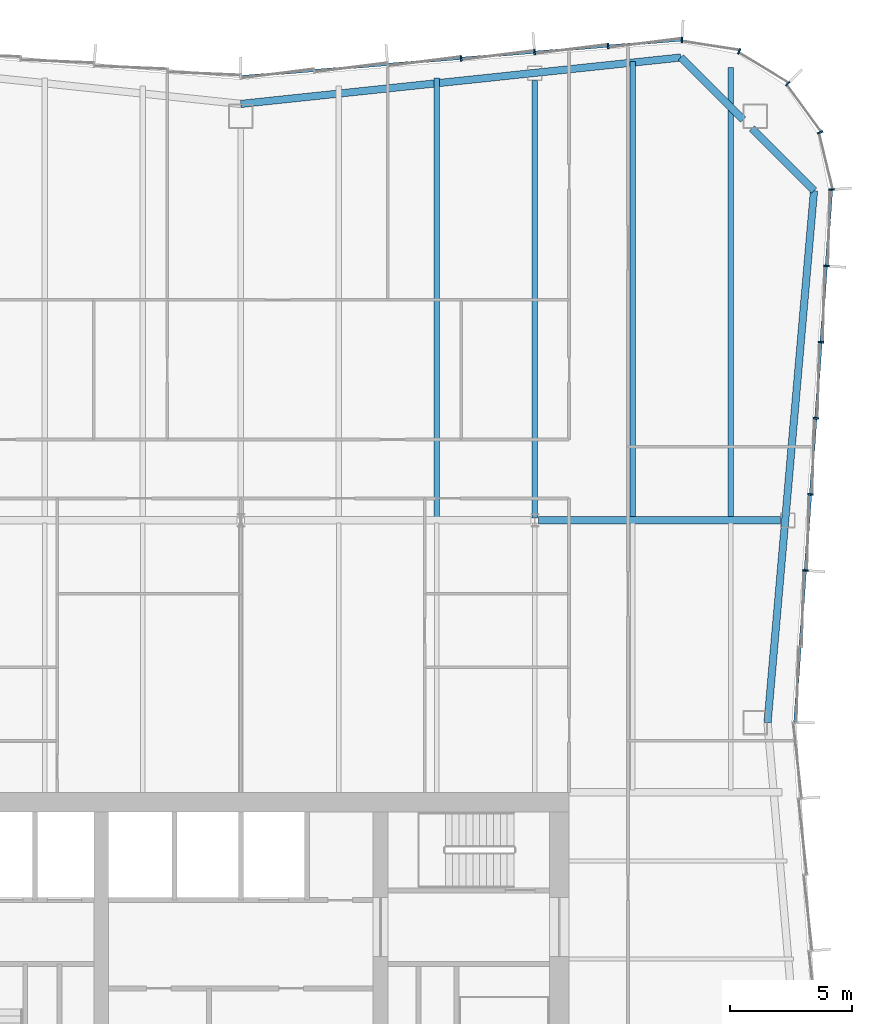
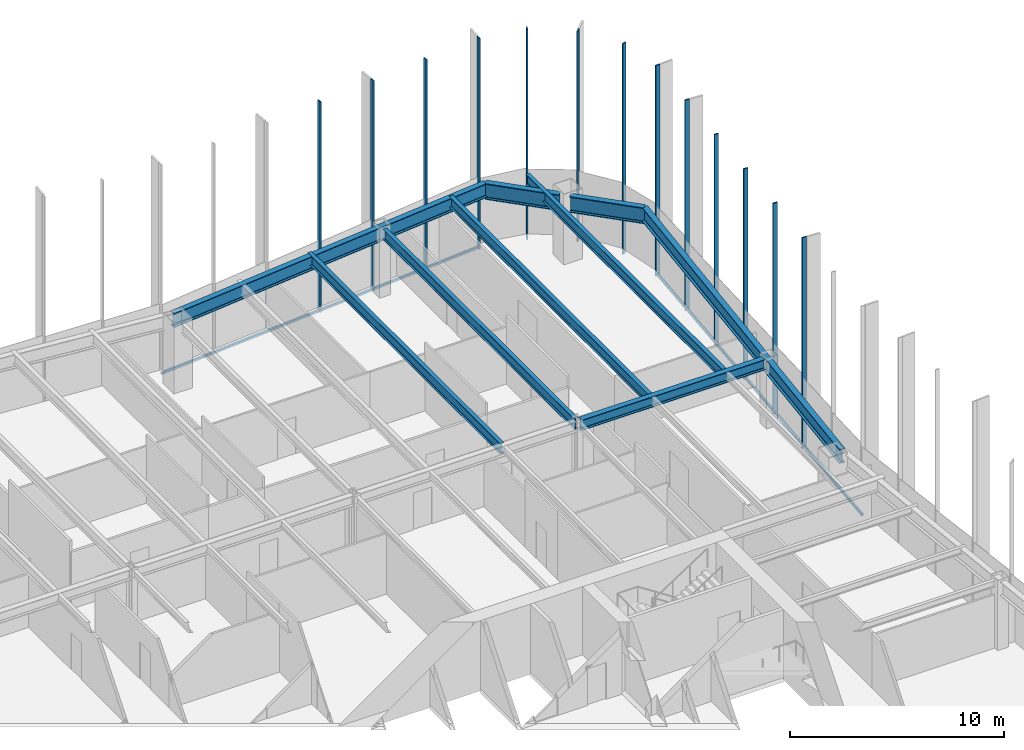
# One storey, part 8 of 15: 15 members, 9 beams, 3 elements without a shape of their own.
"""IFC4 building model written with IfcOpenShell, lengths in metres."""

from ifc_helpers import new_model, si_unit, direction, frame, origin, origin_2d, place, context, subcontext, project, spatial, rectangle, i_section, extrude, material, material_profile, profile_set, type_object, element, aggregate, save


model = new_model("IFC4")

# Units and contexts
model_context = context("Model", 3, precision=1e-05, world=origin(), true_north=direction((0.0, 1.0)))
body_context = subcontext(model_context, "Body", "Model", "MODEL_VIEW")
ifc_project = project(units=[si_unit("LENGTHUNIT", "METRE"), si_unit("AREAUNIT", "SQUARE_METRE"), si_unit("VOLUMEUNIT", "CUBIC_METRE"), si_unit("PLANEANGLEUNIT", "RADIAN"), si_unit("MASSUNIT", "GRAM", prefix="KILO")], contexts=[model_context])

# Site, building, storey
site_placement = place(None, origin())
site = spatial("IfcSite", under=ifc_project, at=site_placement, CompositionType="ELEMENT")
building_placement = place(site_placement, origin())
building = spatial("IfcBuilding", under=site, at=building_placement, Name="Verdant Reach Tower", CompositionType="ELEMENT")
storey_placement = place(building_placement, frame((0.0, 0.0, 250.0)))
storey = spatial("IfcBuildingStorey", under=building, at=storey_placement, Name="L57", CompositionType="ELEMENT", Elevation=250.0)

# Curtain wall, members
ifc_material_1 = material(Name="Anodised aluminium", Category="aluminium")
curtain_wall_type = type_object("IfcCurtainWallType", Name="EN-CW SYSTEM Z4", PredefinedType="NOTDEFINED", material=ifc_material_1)
curtain_wall_1_placement = place(storey_placement, origin())
curtain_wall_1 = element("IfcCurtainWall", 1, at=curtain_wall_1_placement, inside=storey, type_object=curtain_wall_type, Name="Curtain wall east, L57", PredefinedType="NOTDEFINED")
ifc_material_profile_1 = material_profile(ifc_material_1, rectangle(XDim=0.22412109375, YDim=0.068115234375, at=origin_2d()), Name="Mullion 68x224")
ifc_profile_set_1 = profile_set([ifc_material_profile_1], Name="Anodised aluminium")
member_type_1 = type_object("IfcMemberType", Name="EN-MULLION Z4", PredefinedType="MULLION", material=ifc_profile_set_1)
member_1_placement = place(storey_placement, frame((23.040283203125, 47.45654296875, -0.35009765625), z_axis=(0.0, 0.0, 1.0), x_axis=(0.997630328423, -0.068802091615, 0.0)))
member_1 = element("IfcMember", 2, at=member_1_placement, type_object=member_type_1, Name="Mullion east face part 2 3, L57", PredefinedType="MULLION", context=body_context, shape_type="SweptSolid", body=[
    extrude(rectangle(XDim=0.22412109375, YDim=0.068115234375, at=origin_2d()), origin(), (0.0, 0.0, 1.0), 12.0),
])
member_2_placement = place(storey_placement, frame((23.254638671875, 50.563720703125, -0.35009765625), z_axis=(0.0, 0.0, 1.0), x_axis=(0.997630328423, -0.068802091615, 0.0)))
member_2 = element("IfcMember", 3, at=member_2_placement, type_object=member_type_1, Name="Mullion east face part 2 4, L57", PredefinedType="MULLION", context=body_context, shape_type="SweptSolid", body=[
    extrude(rectangle(XDim=0.22412109375, YDim=0.068115234375, at=origin_2d()), origin(), (0.0, 0.0, 1.0), 12.0),
])
member_3_placement = place(storey_placement, frame((23.468994140625, 53.6708984375, -0.35009765625), z_axis=(0.0, 0.0, 1.0), x_axis=(0.997630328423, -0.068802091615, 0.0)))
member_3 = element("IfcMember", 4, at=member_3_placement, type_object=member_type_1, Name="Mullion east face part 2 5, L57", PredefinedType="MULLION", context=body_context, shape_type="SweptSolid", body=[
    extrude(rectangle(XDim=0.22412109375, YDim=0.068115234375, at=origin_2d()), origin(), (0.0, 0.0, 1.0), 12.0),
])
member_4_placement = place(storey_placement, frame((23.68310546875, 56.778076171875, -0.35009765625), z_axis=(0.0, 0.0, 1.0), x_axis=(0.997630328423, -0.068802091615, 0.0)))
member_4 = element("IfcMember", 5, at=member_4_placement, type_object=member_type_1, Name="Mullion east face part 2 6, L57", PredefinedType="MULLION", context=body_context, shape_type="SweptSolid", body=[
    extrude(rectangle(XDim=0.22412109375, YDim=0.068115234375, at=origin_2d()), origin(), (0.0, 0.0, 1.0), 12.0),
])
member_5_placement = place(storey_placement, frame((23.8974609375, 59.88525390625, -0.35009765625), z_axis=(0.0, 0.0, 1.0), x_axis=(0.997630328423, -0.068802091615, 0.0)))
member_5 = element("IfcMember", 6, at=member_5_placement, type_object=member_type_1, Name="Mullion east face part 2 7, L57", PredefinedType="MULLION", context=body_context, shape_type="SweptSolid", body=[
    extrude(rectangle(XDim=0.22412109375, YDim=0.068115234375, at=origin_2d()), origin(), (0.0, 0.0, 1.0), 12.0),
])

curtain_wall_2_placement = place(storey_placement, origin())
curtain_wall_2 = element("IfcCurtainWall", 7, at=curtain_wall_2_placement, inside=storey, type_object=curtain_wall_type, Name="Curtain wall north-east corner, L57", PredefinedType="NOTDEFINED")
member_6_placement = place(storey_placement, frame((24.11181640625, 63.007080078125, -0.35009765625), z_axis=(0.0, 0.0, 1.0), x_axis=(0.997969180898, 0.063698618332, 0.0)))
member_6 = element("IfcMember", 8, at=member_6_placement, type_object=member_type_1, Name="Mullion north-east corner 1, L57", PredefinedType="MULLION", context=body_context, shape_type="SweptSolid", body=[
    extrude(rectangle(XDim=0.22412109375, YDim=0.068115234375, at=origin_2d()), origin(), (0.0, 0.0, 1.0), 12.0),
])
member_7_placement = place(storey_placement, frame((23.646728515625, 65.3388671875, -0.35009765625), z_axis=(0.0, 0.0, 1.0), x_axis=(0.923875215753, 0.382693853776, 0.0)))
member_7 = element("IfcMember", 9, at=member_7_placement, type_object=member_type_1, Name="Mullion north-east corner 2, L57", PredefinedType="MULLION", context=body_context, shape_type="SweptSolid", body=[
    extrude(rectangle(XDim=0.22412109375, YDim=0.068115234375, at=origin_2d()), origin(), (0.0, 0.0, 1.0), 12.0),
])
member_8_placement = place(storey_placement, frame((22.32177734375, 67.32177734375, -0.35009765625), z_axis=(0.0, 0.0, 1.0), x_axis=(0.707106781187, 0.707106781187, 0.0)))
member_8 = element("IfcMember", 10, at=member_8_placement, type_object=member_type_1, Name="Mullion north-east corner 3, L57", PredefinedType="MULLION", context=body_context, shape_type="SweptSolid", body=[
    extrude(rectangle(XDim=0.22412109375, YDim=0.068115234375, at=origin_2d()), origin(), (0.0, 0.0, 1.0), 12.0),
])
member_9_placement = place(storey_placement, frame((20.3388671875, 68.646728515625, -0.35009765625), z_axis=(0.0, 0.0, 1.0), x_axis=(0.382693853776, 0.923875215753, 0.0)))
member_9 = element("IfcMember", 11, at=member_9_placement, type_object=member_type_1, Name="Mullion north-east corner 4, L57", PredefinedType="MULLION", context=body_context, shape_type="SweptSolid", body=[
    extrude(rectangle(XDim=0.22412109375, YDim=0.068115234375, at=origin_2d()), origin(), (0.0, 0.0, 1.0), 12.0),
])
aggregate(curtain_wall_2, [member_6, member_7, member_8, member_9])

curtain_wall_3_placement = place(storey_placement, origin())
curtain_wall_3 = element("IfcCurtainWall", 12, at=curtain_wall_3_placement, inside=storey, type_object=curtain_wall_type, Name="Curtain wall north, L57", PredefinedType="NOTDEFINED")
member_10_placement = place(storey_placement, frame((18.00634765625, 69.11181640625, -0.35009765625), z_axis=(0.0, 0.0, 1.0), x_axis=(0.056569187765, 0.998398681387, 0.0)))
member_10 = element("IfcMember", 13, at=member_10_placement, type_object=member_type_1, Name="Mullion north face part 1 1, L57", PredefinedType="MULLION", context=body_context, shape_type="SweptSolid", body=[
    extrude(rectangle(XDim=0.22412109375, YDim=0.068115234375, at=origin_2d()), origin(), (0.0, 0.0, 1.0), 12.0),
])
member_11_placement = place(storey_placement, frame((14.99072265625, 68.861572265625, -0.35009765625), z_axis=(0.0, 0.0, 1.0), x_axis=(-0.083045479859, 0.996545758244, 0.0)))
member_11 = element("IfcMember", 14, at=member_11_placement, type_object=member_type_1, Name="Mullion north face part 1 2, L57", PredefinedType="MULLION", context=body_context, shape_type="SweptSolid", body=[
    extrude(rectangle(XDim=0.22412109375, YDim=0.068115234375, at=origin_2d()), origin(), (0.0, 0.0, 1.0), 12.0),
])
member_12_placement = place(storey_placement, frame((11.99072265625, 68.611572265625, -0.35009765625), z_axis=(0.0, 0.0, 1.0), x_axis=(-0.083045479859, 0.996545758244, 0.0)))
member_12 = element("IfcMember", 15, at=member_12_placement, type_object=member_type_1, Name="Mullion north face part 1 3, L57", PredefinedType="MULLION", context=body_context, shape_type="SweptSolid", body=[
    extrude(rectangle(XDim=0.22412109375, YDim=0.068115234375, at=origin_2d()), origin(), (0.0, 0.0, 1.0), 12.0),
])
member_13_placement = place(storey_placement, frame((8.99072265625, 68.361572265625, -0.35009765625), z_axis=(0.0, 0.0, 1.0), x_axis=(-0.083045479859, 0.996545758244, 0.0)))
member_13 = element("IfcMember", 16, at=member_13_placement, type_object=member_type_1, Name="Mullion north face part 1 4, L57", PredefinedType="MULLION", context=body_context, shape_type="SweptSolid", body=[
    extrude(rectangle(XDim=0.22412109375, YDim=0.068115234375, at=origin_2d()), origin(), (0.0, 0.0, 1.0), 12.0),
])

# Member
ifc_material_profile_2 = material_profile(ifc_material_1, rectangle(XDim=0.10009765625, YDim=0.1279296875, at=origin_2d()), Name="Transom 128x100")
ifc_profile_set_2 = profile_set([ifc_material_profile_2], Name="Anodised aluminium")
member_type_2 = type_object("IfcMemberType", Name="EN-TRANSOM Z4", PredefinedType="USERDEFINED", material=ifc_profile_set_2)
member_14_placement = place(storey_placement, frame((22.6142578125, 41.283935546875, -0.285888671875), z_axis=(0.068770489035, 0.997632507408, 0.0), x_axis=(-0.997632507408, 0.068770489035, 0.0)))
member_14 = element("IfcMember", 17, at=member_14_placement, type_object=member_type_2, Name="Transom east face part 2 1.1, L57", ObjectType="TRANSOM", PredefinedType="USERDEFINED", context=body_context, shape_type="SweptSolid", body=[
    extrude(rectangle(XDim=0.10009765625, YDim=0.1279296875, at=origin_2d()), origin(), (0.0, 0.0, 1.0), 21.74072265625),
])

aggregate(curtain_wall_1, [member_1, member_2, member_3, member_4, member_5, member_14])

member_15_placement = place(storey_placement, frame((17.972412109375, 69.10888671875, -0.285888671875), z_axis=(-0.996549124771, -0.083005071637, 0.0), x_axis=(0.083005071637, -0.996549124771, 0.0)))
member_15 = element("IfcMember", 18, at=member_15_placement, type_object=member_type_2, Name="Transom north face part 1 1.1, L57", ObjectType="TRANSOM", PredefinedType="USERDEFINED", context=body_context, shape_type="SweptSolid", body=[
    extrude(rectangle(XDim=0.10009765625, YDim=0.1279296875, at=origin_2d()), origin(), (0.0, 0.0, 1.0), 18.00048828125),
])

aggregate(curtain_wall_3, [member_10, member_11, member_12, member_13, member_15])

# Beams
ifc_material_2 = material(Name="Steel S355", Category="steel")
ifc_material_profile_3 = material_profile(ifc_material_2, i_section(OverallWidth=0.300048828125, OverallDepth=0.60009765625, WebThickness=0.015380859375, FlangeThickness=0.030029296875, FilletRadius=0.027099609375, at=origin_2d()), Name="HEB 600")
ifc_profile_set_3 = profile_set([ifc_material_profile_3], Name="Steel S355")
beam_type_1 = type_object("IfcBeamType", Name="ST-BEAM-HEB600", PredefinedType="BEAM", material=ifc_profile_set_3)
beam_1_placement = place(storey_placement, frame((12.153076171875, 49.5, 3.570068359375), z_axis=(1.0, 0.0, 0.0), x_axis=(0.0, 1.0, 0.0)))
element("IfcBeam", 19, at=beam_1_placement, inside=storey, type_object=beam_type_1, Name="Row girder, L57", PredefinedType="BEAM", context=body_context, shape_type="SweptSolid", body=[
    extrude(i_section(OverallWidth=0.300048828125, OverallDepth=0.60009765625, WebThickness=0.015380859375, FlangeThickness=0.030029296875, FilletRadius=0.027099609375, at=origin_2d()), origin(), (0.0, 0.0, 1.0), 9.865966796875),
])
ifc_material_profile_4 = material_profile(ifc_material_2, i_section(OverallWidth=0.219970703125, OverallDepth=0.60009765625, WebThickness=0.011962890625, FlangeThickness=0.01904296875, FilletRadius=0.02392578125, at=origin_2d()), Name="IPE 600")
ifc_profile_set_4 = profile_set([ifc_material_profile_4], Name="Steel S355")
beam_type_2 = type_object("IfcBeamType", Name="ST-JOIST-IPE600", PredefinedType="JOIST", material=ifc_profile_set_4)
beam_2_placement = place(storey_placement, frame((8.0, 49.60009765625, 3.570068359375), z_axis=(0.0, 1.0, 0.0), x_axis=(-1.0, 0.0, 0.0)))
element("IfcBeam", 20, at=beam_2_placement, inside=storey, type_object=beam_type_2, Name="Floor joist, L57", PredefinedType="JOIST", context=body_context, shape_type="SweptSolid", body=[
    extrude(i_section(OverallWidth=0.219970703125, OverallDepth=0.60009765625, WebThickness=0.011962890625, FlangeThickness=0.01904296875, FilletRadius=0.02392578125, at=origin_2d()), origin(), (0.0, 0.0, 1.0), 17.964599609375),
])
beam_3_placement = place(storey_placement, frame((12.0, 49.60009765625, 3.570068359375), z_axis=(0.0, 1.0, 0.0), x_axis=(-1.0, 0.0, 0.0)))
element("IfcBeam", 21, at=beam_3_placement, inside=storey, type_object=beam_type_2, Name="Floor joist, L57", PredefinedType="JOIST", context=body_context, shape_type="SweptSolid", body=[
    extrude(i_section(OverallWidth=0.219970703125, OverallDepth=0.60009765625, WebThickness=0.011962890625, FlangeThickness=0.01904296875, FilletRadius=0.02392578125, at=origin_2d()), origin(), (0.0, 0.0, 1.0), 17.849853515625),
])
beam_4_placement = place(storey_placement, frame((16.0, 49.60009765625, 3.570068359375), z_axis=(0.0, 1.0, 0.0), x_axis=(-1.0, 0.0, 0.0)))
element("IfcBeam", 22, at=beam_4_placement, inside=storey, type_object=beam_type_2, Name="Floor joist, L57", PredefinedType="JOIST", context=body_context, shape_type="SweptSolid", body=[
    extrude(i_section(OverallWidth=0.219970703125, OverallDepth=0.60009765625, WebThickness=0.011962890625, FlangeThickness=0.01904296875, FilletRadius=0.02392578125, at=origin_2d()), origin(), (0.0, 0.0, 1.0), 18.631103515625),
])
beam_5_placement = place(storey_placement, frame((20.0, 49.60009765625, 3.570068359375), z_axis=(0.0, 1.0, 0.0), x_axis=(-1.0, 0.0, 0.0)))
element("IfcBeam", 23, at=beam_5_placement, inside=storey, type_object=beam_type_2, Name="Floor joist, L57", PredefinedType="JOIST", context=body_context, shape_type="SweptSolid", body=[
    extrude(i_section(OverallWidth=0.219970703125, OverallDepth=0.60009765625, WebThickness=0.011962890625, FlangeThickness=0.01904296875, FilletRadius=0.02392578125, at=origin_2d()), origin(), (0.0, 0.0, 1.0), 18.390380859375),
])
ifc_material_profile_5 = material_profile(ifc_material_2, i_section(OverallWidth=0.300048828125, OverallDepth=0.800048828125, WebThickness=0.017578125, FlangeThickness=0.032958984375, FilletRadius=0.030029296875, at=origin_2d()), Name="HEB 800")
ifc_profile_set_5 = profile_set([ifc_material_profile_5], Name="Steel S355")
beam_type_3 = type_object("IfcBeamType", Name="ST-SPANDREL-HEB800", PredefinedType="SPANDREL", material=ifc_profile_set_5)
beam_6_placement = place(storey_placement, frame((0.0, 66.5, 3.469970703125), z_axis=(0.994483067002, 0.104897232783, 0.0), x_axis=(-0.104897232783, 0.994483067002, 0.0)))
element("IfcBeam", 24, at=beam_6_placement, inside=storey, type_object=beam_type_3, Name="Edge beam, L57", PredefinedType="SPANDREL", context=body_context, shape_type="SweptSolid", body=[
    extrude(i_section(OverallWidth=0.300048828125, OverallDepth=0.800048828125, WebThickness=0.017578125, FlangeThickness=0.032958984375, FilletRadius=0.030029296875, at=origin_2d()), origin(), (0.0, 0.0, 1.0), 18.0654296875),
])
beam_7_placement = place(storey_placement, frame((23.39599609375, 62.96142578125, 3.469970703125), z_axis=(-0.086996024331, -0.996208658741, 0.0), x_axis=(0.996208658741, -0.086996024331, 0.0)))
element("IfcBeam", 25, at=beam_7_placement, inside=storey, type_object=beam_type_3, Name="Edge beam, L57", PredefinedType="SPANDREL", context=body_context, shape_type="SweptSolid", body=[
    extrude(i_section(OverallWidth=0.300048828125, OverallDepth=0.800048828125, WebThickness=0.017578125, FlangeThickness=0.032958984375, FilletRadius=0.030029296875, at=origin_2d()), origin(), (0.0, 0.0, 1.0), 21.7939453125),
])
ifc_material_profile_6 = material_profile(ifc_material_2, i_section(OverallWidth=0.302001953125, OverallDepth=0.909912109375, WebThickness=0.02099609375, FlangeThickness=0.0400390625, FilletRadius=0.030029296875, at=origin_2d()), Name="HEM 900")
ifc_profile_set_6 = profile_set([ifc_material_profile_6], Name="Steel S355")
beam_type_4 = type_object("IfcBeamType", Name="ST-SPANDREL-HEM900", PredefinedType="SPANDREL", material=ifc_profile_set_6)
beam_8_placement = place(storey_placement, frame((17.9658203125, 68.39501953125, 3.4150390625), z_axis=(0.706868394255, -0.707345087777, 0.0), x_axis=(0.707345087777, 0.706868394255, 0.0)))
element("IfcBeam", 26, at=beam_8_placement, inside=storey, type_object=beam_type_4, Name="Edge beam, L57", PredefinedType="SPANDREL", context=body_context, shape_type="SweptSolid", body=[
    extrude(i_section(OverallWidth=0.302001953125, OverallDepth=0.909912109375, WebThickness=0.02099609375, FlangeThickness=0.0400390625, FilletRadius=0.030029296875, at=origin_2d()), origin(), (0.0, 0.0, 1.0), 3.5849609375),
])
beam_9_placement = place(storey_placement, frame((20.85888671875, 65.5, 3.4150390625), z_axis=(0.706902680526, -0.707310822952, 0.0), x_axis=(0.707310822952, 0.706902680526, 0.0)))
element("IfcBeam", 27, at=beam_9_placement, inside=storey, type_object=beam_type_4, Name="Edge beam, L57", PredefinedType="SPANDREL", context=body_context, shape_type="SweptSolid", body=[
    extrude(i_section(OverallWidth=0.302001953125, OverallDepth=0.909912109375, WebThickness=0.02099609375, FlangeThickness=0.0400390625, FilletRadius=0.030029296875, at=origin_2d()), origin(), (0.0, 0.0, 1.0), 3.589111328125),
])

save(model, "model.ifc")
